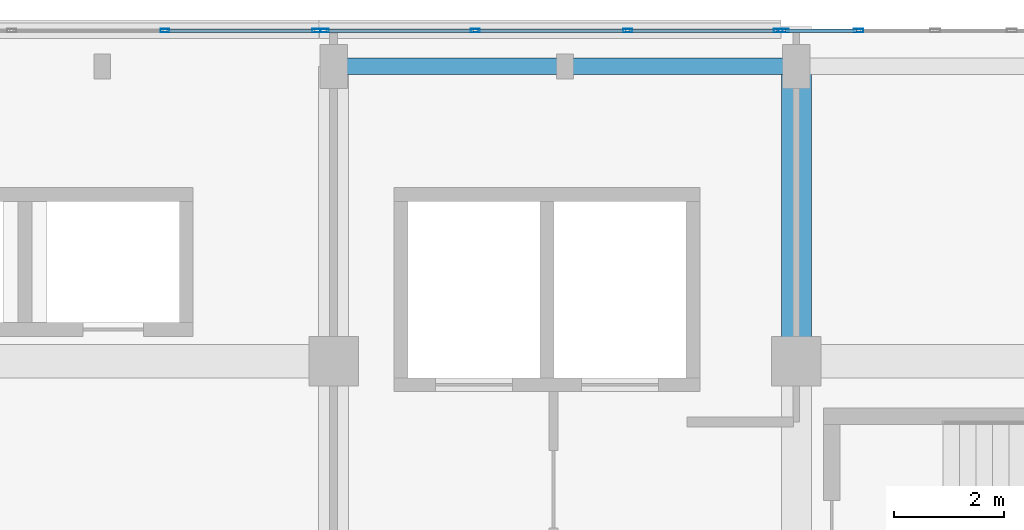
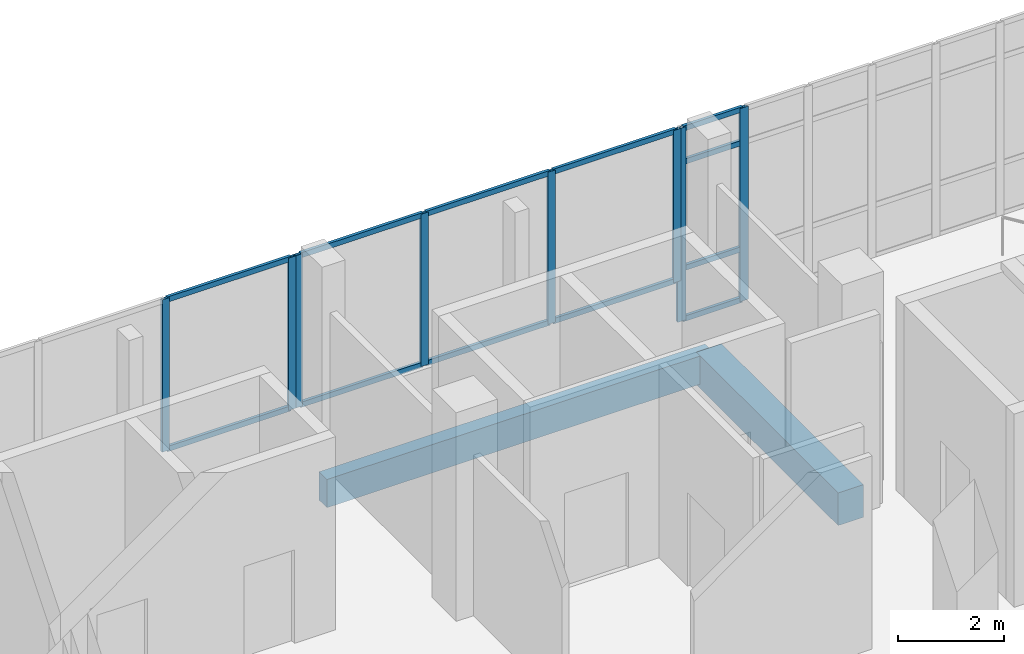
# One storey, part 99 of 168: 20 members, 2 beams, 3 elements without a shape of their own.
"""IFC4 building model written with IfcOpenShell, lengths in metres."""

from ifc_helpers import new_model, si_unit, direction, frame, origin, origin_2d, place, context, subcontext, project, spatial, rectangle, hollow_rectangle, extrude, material, material_profile, profile_set, type_object, element, aggregate, save


model = new_model("IFC4")

# Units and contexts
model_context = context("Model", 3, precision=1e-05, world=origin(), true_north=direction((0.0, 1.0)))
body_context = subcontext(model_context, "Body", "Model", "MODEL_VIEW")
ifc_project = project(units=[si_unit("LENGTHUNIT", "METRE"), si_unit("AREAUNIT", "SQUARE_METRE"), si_unit("VOLUMEUNIT", "CUBIC_METRE"), si_unit("PLANEANGLEUNIT", "RADIAN"), si_unit("MASSUNIT", "GRAM", prefix="KILO")], contexts=[model_context])

# Site, building, storey
site_placement = place(None, origin())
site = spatial("IfcSite", under=ifc_project, at=site_placement, CompositionType="ELEMENT")
building_placement = place(site_placement, origin())
building = spatial("IfcBuilding", under=site, at=building_placement, Name="Selatvlak General Hospital", CompositionType="ELEMENT")
storey_placement = place(building_placement, frame((0.0, 0.0, 5.39990234375)))
storey = spatial("IfcBuildingStorey", under=building, at=storey_placement, Name="L01", CompositionType="ELEMENT", Elevation=5.39990234375)

# Beams
ifc_material_1 = material(Name="Concrete C40/50", Category="concrete")
ifc_material_profile_1 = material_profile(ifc_material_1, rectangle(XDim=0.550048828125, YDim=0.75, at=origin_2d()), Name="RC-BM 550x750")
ifc_profile_set_1 = profile_set([ifc_material_profile_1], Name="Concrete C40/50")
beam_type_1 = type_object("IfcBeamType", Name="BM-G02", PredefinedType="BEAM", material=ifc_profile_set_1)
beam_1_placement = place(storey_placement, frame((132.0, 114.0, -0.69482421875), z_axis=(0.0, 1.0, 0.0), x_axis=(-1.0, 0.0, 0.0)))
element("IfcBeam", 1, at=beam_1_placement, inside=storey, type_object=beam_type_1, Name="Beam BMR-L01-0639", PredefinedType="BEAM", context=body_context, shape_type="SweptSolid", body=[
    extrude(rectangle(XDim=0.550048828125, YDim=0.75, at=origin_2d()), origin(), (0.0, 0.0, 1.0), 5.35009765625),
])
ifc_material_profile_2 = material_profile(ifc_material_1, rectangle(XDim=0.300048828125, YDim=0.64990234375, at=origin_2d()), Name="RC-SP 300x650")
ifc_profile_set_2 = profile_set([ifc_material_profile_2], Name="Concrete C40/50")
beam_type_2 = type_object("IfcBeamType", Name="BM-SP1", PredefinedType="SPANDREL", material=ifc_profile_set_2)
beam_2_placement = place(storey_placement, frame((123.60009765625, 119.35009765625, -0.64501953125), z_axis=(1.0, 0.0, 0.0), x_axis=(0.0, 1.0, 0.0)))
element("IfcBeam", 2, at=beam_2_placement, inside=storey, type_object=beam_type_2, Name="Beam BMR-L01-0533", PredefinedType="SPANDREL", context=body_context, shape_type="SweptSolid", body=[
    extrude(rectangle(XDim=0.300048828125, YDim=0.64990234375, at=origin_2d()), origin(), (0.0, 0.0, 1.0), 8.39990234375),
])

# Curtain wall, members
ifc_material_2 = material(Name="Solar-control Low-E double glazing", Category="glass")
curtain_wall_type_1 = type_object("IfcCurtainWallType", Name="CW-CW-01", PredefinedType="USERDEFINED", material=ifc_material_2)
curtain_wall_1_placement = place(storey_placement, origin())
curtain_wall_1 = element("IfcCurtainWall", 3, at=curtain_wall_1_placement, inside=storey, type_object=curtain_wall_type_1, Name="Glazed facade curtain wall CW-L01-0124", ObjectType="UNITISED CURTAIN WALL", PredefinedType="USERDEFINED")
ifc_material_3 = material(Name="Dark anodised aluminium mullion", Category="aluminium")
ifc_material_profile_3 = material_profile(ifc_material_3, hollow_rectangle(XDim=0.06494140625, YDim=0.159912109375, WallThickness=0.00390625, at=origin_2d()), Name="AL-MUL 65x160x4")
ifc_profile_set_3 = profile_set([ifc_material_profile_3], Name="Dark anodised aluminium mullion")
member_type_1 = type_object("IfcMemberType", Name="CWM-01", PredefinedType="MULLION", material=ifc_profile_set_3)
member_1_placement = place(storey_placement, frame((120.540771484375, 120.0, 0.940185546875), z_axis=(0.0, 0.0, 1.0), x_axis=(0.0, 1.0, 0.0)))
member_1 = element("IfcMember", 4, at=member_1_placement, type_object=member_type_1, Name="CW-01 mullion 3", PredefinedType="MULLION", context=body_context, shape_type="SweptSolid", body=[
    extrude(hollow_rectangle(XDim=0.06494140625, YDim=0.159912109375, WallThickness=0.00390625, at=origin_2d()), origin(), (0.0, 0.0, 1.0), 3.5048828125),
])
member_2_placement = place(storey_placement, frame((123.29150390625, 120.0, 0.940185546875), z_axis=(0.0, 0.0, 1.0), x_axis=(0.0, 1.0, 0.0)))
member_2 = element("IfcMember", 5, at=member_2_placement, type_object=member_type_1, Name="CW-01 mullion 4", PredefinedType="MULLION", context=body_context, shape_type="SweptSolid", body=[
    extrude(hollow_rectangle(XDim=0.06494140625, YDim=0.159912109375, WallThickness=0.00390625, at=origin_2d()), origin(), (0.0, 0.0, 1.0), 3.5048828125),
])

curtain_wall_type_2 = type_object("IfcCurtainWallType", Name="CW-CW-02", PredefinedType="USERDEFINED", material=ifc_material_2)
curtain_wall_2_placement = place(storey_placement, origin())
curtain_wall_2 = element("IfcCurtainWall", 6, at=curtain_wall_2_placement, inside=storey, type_object=curtain_wall_type_2, Name="Glazed facade curtain wall CW-L01-0125", ObjectType="UNITISED CURTAIN WALL", PredefinedType="USERDEFINED")
member_3_placement = place(storey_placement, frame((123.4365234375, 120.0, 0.940185546875), z_axis=(0.0, 0.0, 1.0), x_axis=(0.0, 1.0, 0.0)))
member_3 = element("IfcMember", 7, at=member_3_placement, type_object=member_type_1, Name="CW-02 mullion 1", PredefinedType="MULLION", context=body_context, shape_type="SweptSolid", body=[
    extrude(hollow_rectangle(XDim=0.06494140625, YDim=0.159912109375, WallThickness=0.00390625, at=origin_2d()), origin(), (0.0, 0.0, 1.0), 3.5048828125),
])
member_4_placement = place(storey_placement, frame((126.170654296875, 120.0, 0.940185546875), z_axis=(0.0, 0.0, 1.0), x_axis=(0.0, 1.0, 0.0)))
member_4 = element("IfcMember", 8, at=member_4_placement, type_object=member_type_1, Name="CW-02 mullion 2", PredefinedType="MULLION", context=body_context, shape_type="SweptSolid", body=[
    extrude(hollow_rectangle(XDim=0.06494140625, YDim=0.159912109375, WallThickness=0.00390625, at=origin_2d()), origin(), (0.0, 0.0, 1.0), 3.5048828125),
])
member_5_placement = place(storey_placement, frame((128.937255859375, 120.0, 0.940185546875), z_axis=(0.0, 0.0, 1.0), x_axis=(0.0, 1.0, 0.0)))
member_5 = element("IfcMember", 9, at=member_5_placement, type_object=member_type_1, Name="CW-02 mullion 3", PredefinedType="MULLION", context=body_context, shape_type="SweptSolid", body=[
    extrude(hollow_rectangle(XDim=0.06494140625, YDim=0.159912109375, WallThickness=0.00390625, at=origin_2d()), origin(), (0.0, 0.0, 1.0), 3.5048828125),
])
member_6_placement = place(storey_placement, frame((131.67138671875, 120.0, 0.940185546875), z_axis=(0.0, 0.0, 1.0), x_axis=(0.0, 1.0, 0.0)))
member_6 = element("IfcMember", 10, at=member_6_placement, type_object=member_type_1, Name="CW-02 mullion 4", PredefinedType="MULLION", context=body_context, shape_type="SweptSolid", body=[
    extrude(hollow_rectangle(XDim=0.06494140625, YDim=0.159912109375, WallThickness=0.00390625, at=origin_2d()), origin(), (0.0, 0.0, 1.0), 3.5048828125),
])

curtain_wall_type_3 = type_object("IfcCurtainWallType", Name="CW-CW-04", PredefinedType="USERDEFINED", material=ifc_material_2)
curtain_wall_3_placement = place(storey_placement, origin())
curtain_wall_3 = element("IfcCurtainWall", 11, at=curtain_wall_3_placement, inside=storey, type_object=curtain_wall_type_3, Name="Glazed facade curtain wall CW-L01-0126", ObjectType="STICK GLAZING WALL", PredefinedType="USERDEFINED")
ifc_material_profile_4 = material_profile(ifc_material_3, hollow_rectangle(XDim=0.06494140625, YDim=0.179931640625, WallThickness=0.00439453125, at=origin_2d()), Name="AL-MUL 65x180x4.5")
ifc_profile_set_4 = profile_set([ifc_material_profile_4], Name="Dark anodised aluminium mullion")
member_type_2 = type_object("IfcMemberType", Name="CWM-02", PredefinedType="MULLION", material=ifc_profile_set_4)
member_7_placement = place(storey_placement, frame((131.7666015625, 120.0, 0.0), z_axis=(0.0, 0.0, 1.0), x_axis=(0.0, 1.0, 0.0)))
member_7 = element("IfcMember", 12, at=member_7_placement, type_object=member_type_2, Name="CW-04 mullion 1", PredefinedType="MULLION", context=body_context, shape_type="SweptSolid", body=[
    extrude(hollow_rectangle(XDim=0.06494140625, YDim=0.179931640625, WallThickness=0.00439453125, at=origin_2d()), origin(), (0.0, 0.0, 1.0), 4.445068359375),
])
member_8_placement = place(storey_placement, frame((133.125732421875, 120.0, 0.0), z_axis=(0.0, 0.0, 1.0), x_axis=(0.0, 1.0, 0.0)))
member_8 = element("IfcMember", 13, at=member_8_placement, type_object=member_type_2, Name="CW-04 mullion 2", PredefinedType="MULLION", context=body_context, shape_type="SweptSolid", body=[
    extrude(hollow_rectangle(XDim=0.06494140625, YDim=0.179931640625, WallThickness=0.00439453125, at=origin_2d()), origin(), (0.0, 0.0, 1.0), 4.445068359375),
])

# Member
ifc_material_profile_5 = material_profile(ifc_material_3, hollow_rectangle(XDim=0.06494140625, YDim=0.1201171875, WallThickness=0.00390625, at=origin_2d()), Name="AL-TRN 65x120x4")
ifc_profile_set_5 = profile_set([ifc_material_profile_5], Name="Dark anodised aluminium mullion")
member_type_3 = type_object("IfcMemberType", Name="CWT-01", PredefinedType="USERDEFINED", material=ifc_profile_set_5)
member_9_placement = place(storey_placement, frame((120.5732421875, 120.0, 0.97265625), z_axis=(1.0, 0.0, 0.0), x_axis=(0.0, 1.0, 0.0)))
member_9 = element("IfcMember", 14, at=member_9_placement, type_object=member_type_3, Name="CW-01 transom 3.1", ObjectType="TRANSOM", PredefinedType="USERDEFINED", context=body_context, shape_type="SweptSolid", body=[
    extrude(hollow_rectangle(XDim=0.06494140625, YDim=0.1201171875, WallThickness=0.00390625, at=origin_2d()), origin(), (0.0, 0.0, 1.0), 2.685791015625),
])

member_10_placement = place(storey_placement, frame((120.5732421875, 120.0, 4.41259765625), z_axis=(1.0, 0.0, 0.0), x_axis=(0.0, 1.0, 0.0)))
member_10 = element("IfcMember", 15, at=member_10_placement, type_object=member_type_3, Name="CW-01 transom 3.2", ObjectType="TRANSOM", PredefinedType="USERDEFINED", context=body_context, shape_type="SweptSolid", body=[
    extrude(hollow_rectangle(XDim=0.06494140625, YDim=0.1201171875, WallThickness=0.00390625, at=origin_2d()), origin(), (0.0, 0.0, 1.0), 2.685791015625),
])

aggregate(curtain_wall_1, [member_1, member_2, member_9, member_10])

member_11_placement = place(storey_placement, frame((123.468994140625, 120.0, 0.97265625), z_axis=(1.0, 0.0, 0.0), x_axis=(0.0, 1.0, 0.0)))
member_11 = element("IfcMember", 16, at=member_11_placement, type_object=member_type_3, Name="CW-02 transom 1.1", ObjectType="TRANSOM", PredefinedType="USERDEFINED", context=body_context, shape_type="SweptSolid", body=[
    extrude(hollow_rectangle(XDim=0.06494140625, YDim=0.1201171875, WallThickness=0.00390625, at=origin_2d()), origin(), (0.0, 0.0, 1.0), 2.669189453125),
])

member_12_placement = place(storey_placement, frame((123.468994140625, 120.0, 4.41259765625), z_axis=(1.0, 0.0, 0.0), x_axis=(0.0, 1.0, 0.0)))
member_12 = element("IfcMember", 17, at=member_12_placement, type_object=member_type_3, Name="CW-02 transom 1.2", ObjectType="TRANSOM", PredefinedType="USERDEFINED", context=body_context, shape_type="SweptSolid", body=[
    extrude(hollow_rectangle(XDim=0.06494140625, YDim=0.1201171875, WallThickness=0.00390625, at=origin_2d()), origin(), (0.0, 0.0, 1.0), 2.669189453125),
])

member_13_placement = place(storey_placement, frame((126.203125, 120.0, 0.97265625), z_axis=(1.0, 0.0, 0.0), x_axis=(0.0, 1.0, 0.0)))
member_13 = element("IfcMember", 18, at=member_13_placement, type_object=member_type_3, Name="CW-02 transom 2.1", ObjectType="TRANSOM", PredefinedType="USERDEFINED", context=body_context, shape_type="SweptSolid", body=[
    extrude(hollow_rectangle(XDim=0.06494140625, YDim=0.1201171875, WallThickness=0.00390625, at=origin_2d()), origin(), (0.0, 0.0, 1.0), 2.70166015625),
])

member_14_placement = place(storey_placement, frame((126.203125, 120.0, 4.41259765625), z_axis=(1.0, 0.0, 0.0), x_axis=(0.0, 1.0, 0.0)))
member_14 = element("IfcMember", 19, at=member_14_placement, type_object=member_type_3, Name="CW-02 transom 2.2", ObjectType="TRANSOM", PredefinedType="USERDEFINED", context=body_context, shape_type="SweptSolid", body=[
    extrude(hollow_rectangle(XDim=0.06494140625, YDim=0.1201171875, WallThickness=0.00390625, at=origin_2d()), origin(), (0.0, 0.0, 1.0), 2.70166015625),
])

member_15_placement = place(storey_placement, frame((128.9697265625, 120.0, 0.97265625), z_axis=(1.0, 0.0, 0.0), x_axis=(0.0, 1.0, 0.0)))
member_15 = element("IfcMember", 20, at=member_15_placement, type_object=member_type_3, Name="CW-02 transom 3.1", ObjectType="TRANSOM", PredefinedType="USERDEFINED", context=body_context, shape_type="SweptSolid", body=[
    extrude(hollow_rectangle(XDim=0.06494140625, YDim=0.1201171875, WallThickness=0.00390625, at=origin_2d()), origin(), (0.0, 0.0, 1.0), 2.669189453125),
])

member_16_placement = place(storey_placement, frame((128.9697265625, 120.0, 4.41259765625), z_axis=(1.0, 0.0, 0.0), x_axis=(0.0, 1.0, 0.0)))
member_16 = element("IfcMember", 21, at=member_16_placement, type_object=member_type_3, Name="CW-02 transom 3.2", ObjectType="TRANSOM", PredefinedType="USERDEFINED", context=body_context, shape_type="SweptSolid", body=[
    extrude(hollow_rectangle(XDim=0.06494140625, YDim=0.1201171875, WallThickness=0.00390625, at=origin_2d()), origin(), (0.0, 0.0, 1.0), 2.669189453125),
])

aggregate(curtain_wall_2, [member_3, member_4, member_5, member_6, member_11, member_12, member_13, member_14, member_15, member_16])

member_17_placement = place(storey_placement, frame((131.799072265625, 120.0, 0.03271484375), z_axis=(1.0, 0.0, 0.0), x_axis=(0.0, 1.0, 0.0)))
member_17 = element("IfcMember", 22, at=member_17_placement, type_object=member_type_3, Name="CW-04 transom 1.1", ObjectType="TRANSOM", PredefinedType="USERDEFINED", context=body_context, shape_type="SweptSolid", body=[
    extrude(hollow_rectangle(XDim=0.06494140625, YDim=0.1201171875, WallThickness=0.00390625, at=origin_2d()), origin(), (0.0, 0.0, 1.0), 1.294189453125),
])

member_18_placement = place(storey_placement, frame((131.799072265625, 120.0, 1.2001953125), z_axis=(1.0, 0.0, 0.0), x_axis=(0.0, 1.0, 0.0)))
member_18 = element("IfcMember", 23, at=member_18_placement, type_object=member_type_3, Name="CW-04 transom 1.2", ObjectType="TRANSOM", PredefinedType="USERDEFINED", context=body_context, shape_type="SweptSolid", body=[
    extrude(hollow_rectangle(XDim=0.06494140625, YDim=0.1201171875, WallThickness=0.00390625, at=origin_2d()), origin(), (0.0, 0.0, 1.0), 1.294189453125),
])

member_19_placement = place(storey_placement, frame((131.799072265625, 120.0, 3.64501953125), z_axis=(1.0, 0.0, 0.0), x_axis=(0.0, 1.0, 0.0)))
member_19 = element("IfcMember", 24, at=member_19_placement, type_object=member_type_3, Name="CW-04 transom 1.3", ObjectType="TRANSOM", PredefinedType="USERDEFINED", context=body_context, shape_type="SweptSolid", body=[
    extrude(hollow_rectangle(XDim=0.06494140625, YDim=0.1201171875, WallThickness=0.00390625, at=origin_2d()), origin(), (0.0, 0.0, 1.0), 1.294189453125),
])

member_20_placement = place(storey_placement, frame((131.799072265625, 120.0, 4.41259765625), z_axis=(1.0, 0.0, 0.0), x_axis=(0.0, 1.0, 0.0)))
member_20 = element("IfcMember", 25, at=member_20_placement, type_object=member_type_3, Name="CW-04 transom 1.4", ObjectType="TRANSOM", PredefinedType="USERDEFINED", context=body_context, shape_type="SweptSolid", body=[
    extrude(hollow_rectangle(XDim=0.06494140625, YDim=0.1201171875, WallThickness=0.00390625, at=origin_2d()), origin(), (0.0, 0.0, 1.0), 1.294189453125),
])

aggregate(curtain_wall_3, [member_7, member_8, member_17, member_18, member_19, member_20])

save(model, "model.ifc")
